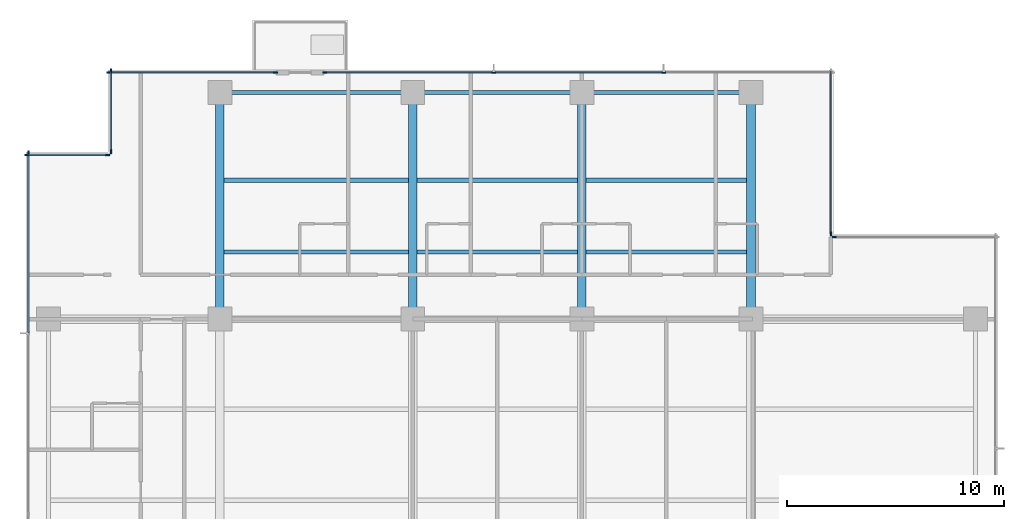
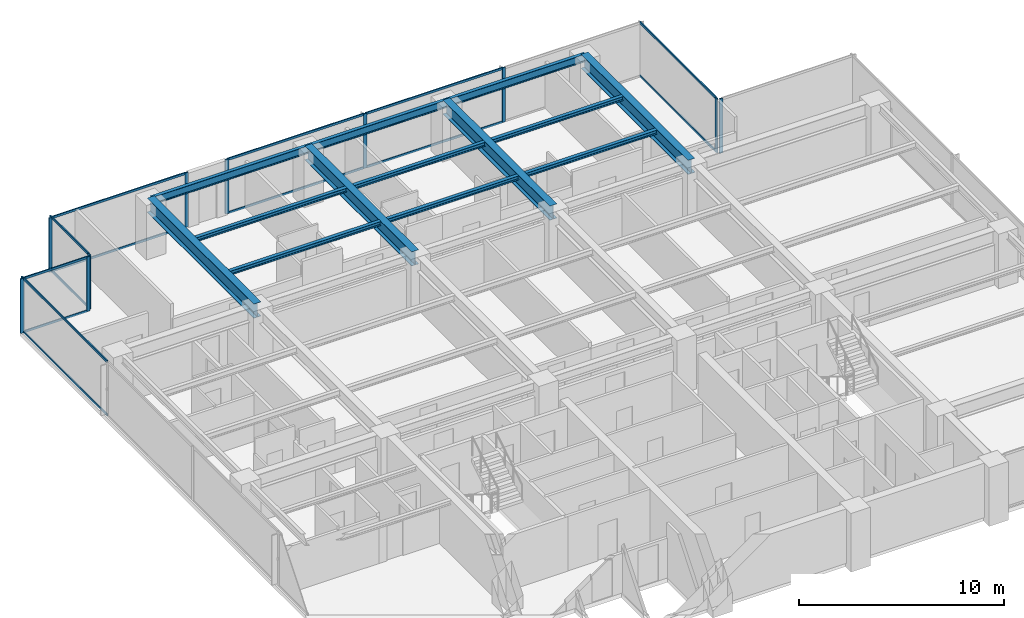
# One storey, part 4 of 14: 26 members, 13 beams, 7 elements without a shape of their own.
"""IFC4 building model written with IfcOpenShell, lengths in metres."""

from ifc_helpers import new_model, si_unit, direction, frame, origin, origin_2d, place, context, subcontext, project, spatial, rectangle, i_section, extrude, material, layer, layer_set, material_profile, profile_set, type_object, element, aggregate, save


model = new_model("IFC4")

# Units and contexts
model_context = context("Model", 3, precision=1e-05, world=origin(), true_north=direction((0.0, 1.0)))
body_context = subcontext(model_context, "Body", "Model", "MODEL_VIEW")
ifc_project = project(units=[si_unit("LENGTHUNIT", "METRE"), si_unit("AREAUNIT", "SQUARE_METRE"), si_unit("VOLUMEUNIT", "CUBIC_METRE"), si_unit("PLANEANGLEUNIT", "RADIAN"), si_unit("MASSUNIT", "GRAM", prefix="KILO")], contexts=[model_context])

# Site, building, storey
site_placement = place(None, origin())
site = spatial("IfcSite", under=ifc_project, at=site_placement, CompositionType="ELEMENT")
building_placement = place(site_placement, origin())
building = spatial("IfcBuilding", under=site, at=building_placement, Name="Qalmaran Belvedere Hotel", CompositionType="ELEMENT")
storey_placement = place(building_placement, frame((0.0, 0.0, 156.10009765625)))
storey = spatial("IfcBuildingStorey", under=building, at=storey_placement, Name="L39", CompositionType="ELEMENT", Elevation=156.10009765625)

# Beams
ifc_material_1 = material(Name="Steel S355JR", Category="steel")
ifc_material_profile_1 = material_profile(ifc_material_1, i_section(OverallWidth=0.201904296875, OverallDepth=0.2470703125, WebThickness=0.00732421875, FlangeThickness=0.010986328125, FilletRadius=0.011962890625, at=origin_2d()), Name="W250X49")
ifc_profile_set_1 = profile_set([ifc_material_profile_1], Name="Steel S355JR")
beam_type_1 = type_object("IfcBeamType", Name="BM-JST-W250X49", PredefinedType="JOIST", material=ifc_profile_set_1)
beam_1_placement = place(storey_placement, frame((20.498046875, 36.10009765625, 3.12646484375), z_axis=(1.0, 0.0, 0.0), x_axis=(0.0, 1.0, 0.0)))
element("IfcBeam", 1, at=beam_1_placement, inside=storey, type_object=beam_type_1, Name="L39 North Floor Joist 042", PredefinedType="JOIST", context=body_context, shape_type="SweptSolid", body=[
    extrude(i_section(OverallWidth=0.201904296875, OverallDepth=0.2470703125, WebThickness=0.00732421875, FlangeThickness=0.010986328125, FilletRadius=0.011962890625, at=origin_2d()), origin(), (0.0, 0.0, 1.0), 8.50390625),
])
for number, where, z_axis, x_axis, name in (
    (2, (29.39794921875, 36.10009765625, 3.12646484375), (1.0, 0.0, 0.0), (0.0, 1.0, 0.0), "L39 North Floor Joist 043"),
    (3, (37.197998046875, 36.10009765625, 3.12646484375), (1.0, 0.0, 0.0), (0.0, 1.0, 0.0), "L39 North Floor Joist 044"),
):
    element("IfcBeam", number, at=place(storey_placement, frame(where, z_axis=z_axis, x_axis=x_axis)), inside=storey, type_object=beam_type_1, Name=name, PredefinedType="JOIST", context=body_context, shape_type="SweptSolid", body=[
        extrude(i_section(OverallWidth=0.201904296875, OverallDepth=0.2470703125, WebThickness=0.00732421875, FlangeThickness=0.010986328125, FilletRadius=0.011962890625, at=origin_2d()), origin(), (0.0, 0.0, 1.0), 7.404052734375),
    ])
beam_2_placement = place(storey_placement, frame((20.498046875, 39.39990234375, 3.12646484375), z_axis=(1.0, 0.0, 0.0), x_axis=(0.0, 1.0, 0.0)))
element("IfcBeam", 4, at=beam_2_placement, inside=storey, type_object=beam_type_1, Name="L39 North Floor Joist 045", PredefinedType="JOIST", context=body_context, shape_type="SweptSolid", body=[
    extrude(i_section(OverallWidth=0.201904296875, OverallDepth=0.2470703125, WebThickness=0.00732421875, FlangeThickness=0.010986328125, FilletRadius=0.011962890625, at=origin_2d()), origin(), (0.0, 0.0, 1.0), 8.50390625),
])
for number, where, z_axis, x_axis, name in (
    (5, (29.39794921875, 39.39990234375, 3.12646484375), (1.0, 0.0, 0.0), (0.0, 1.0, 0.0), "L39 North Floor Joist 046"),
    (6, (37.197998046875, 39.39990234375, 3.12646484375), (1.0, 0.0, 0.0), (0.0, 1.0, 0.0), "L39 North Floor Joist 047"),
):
    element("IfcBeam", number, at=place(storey_placement, frame(where, z_axis=z_axis, x_axis=x_axis)), inside=storey, type_object=beam_type_1, Name=name, PredefinedType="JOIST", context=body_context, shape_type="SweptSolid", body=[
        extrude(i_section(OverallWidth=0.201904296875, OverallDepth=0.2470703125, WebThickness=0.00732421875, FlangeThickness=0.010986328125, FilletRadius=0.011962890625, at=origin_2d()), origin(), (0.0, 0.0, 1.0), 7.404052734375),
    ])
ifc_material_profile_2 = material_profile(ifc_material_1, i_section(OverallWidth=0.39990234375, OverallDepth=0.85498046875, WebThickness=0.018310546875, FlangeThickness=0.029296875, FilletRadius=0.02392578125, at=origin_2d()), Name="W840X299")
ifc_profile_set_2 = profile_set([ifc_material_profile_2], Name="Steel S355JR")
beam_type_2 = type_object("IfcBeamType", Name="BM-PG3-W840X299", PredefinedType="USERDEFINED", material=ifc_profile_set_2)
for number, where, z_axis, x_axis, name in (
    (7, (20.300048828125, 33.0, 2.822509765625), (0.0, 1.0, 0.0), (-1.0, 0.0, 0.0), "L39 North Bay Girder 15"),
    (8, (29.199951171875, 33.0, 2.822509765625), (0.0, 1.0, 0.0), (-1.0, 0.0, 0.0), "L39 North Bay Girder 17"),
    (9, (37.0, 33.0, 2.822509765625), (0.0, 1.0, 0.0), (-1.0, 0.0, 0.0), "L39 North Bay Girder 19"),
    (10, (44.800048828125, 33.0, 2.822509765625), (0.0, 1.0, 0.0), (-1.0, 0.0, 0.0), "L39 North Bay Girder 21"),
):
    element("IfcBeam", number, at=place(storey_placement, frame(where, z_axis=z_axis, x_axis=x_axis)), inside=storey, type_object=beam_type_2, Name=name, ObjectType="GIRDER", PredefinedType="USERDEFINED", context=body_context, shape_type="SweptSolid", body=[
        extrude(i_section(OverallWidth=0.39990234375, OverallDepth=0.85498046875, WebThickness=0.018310546875, FlangeThickness=0.029296875, FilletRadius=0.02392578125, at=origin_2d()), origin(), (0.0, 0.0, 1.0), 10.449951171875),
    ])
ifc_material_profile_3 = material_profile(ifc_material_1, i_section(OverallWidth=0.19189453125, OverallDepth=0.462890625, WebThickness=0.010498046875, FlangeThickness=0.017578125, FilletRadius=0.01611328125, at=origin_2d()), Name="W460X89")
ifc_profile_set_3 = profile_set([ifc_material_profile_3], Name="Steel S355JR")
beam_type_3 = type_object("IfcBeamType", Name="BM-SP2-W460X89", PredefinedType="SPANDREL", material=ifc_profile_set_3)
beam_3_placement = place(storey_placement, frame((20.300048828125, 43.449951171875, 3.018310546875), z_axis=(1.0, 0.0, 0.0), x_axis=(0.0, 1.0, 0.0)))
element("IfcBeam", 11, at=beam_3_placement, inside=storey, type_object=beam_type_3, Name="L39 Perimeter Spandrel 05", PredefinedType="SPANDREL", context=body_context, shape_type="SweptSolid", body=[
    extrude(i_section(OverallWidth=0.19189453125, OverallDepth=0.462890625, WebThickness=0.010498046875, FlangeThickness=0.017578125, FilletRadius=0.01611328125, at=origin_2d()), origin(), (0.0, 0.0, 1.0), 8.89990234375),
])
for number, where, z_axis, x_axis, name in (
    (12, (29.199951171875, 43.449951171875, 3.018310546875), (1.0, 0.0, 0.0), (0.0, 1.0, 0.0), "L39 Perimeter Spandrel 06"),
    (13, (37.0, 43.449951171875, 3.018310546875), (1.0, 0.0, 0.0), (0.0, 1.0, 0.0), "L39 Perimeter Spandrel 07"),
):
    element("IfcBeam", number, at=place(storey_placement, frame(where, z_axis=z_axis, x_axis=x_axis)), inside=storey, type_object=beam_type_3, Name=name, PredefinedType="SPANDREL", context=body_context, shape_type="SweptSolid", body=[
        extrude(i_section(OverallWidth=0.19189453125, OverallDepth=0.462890625, WebThickness=0.010498046875, FlangeThickness=0.017578125, FilletRadius=0.01611328125, at=origin_2d()), origin(), (0.0, 0.0, 1.0), 7.800048828125),
    ])

# Curtain wall, member
ifc_material_2 = material(Name="Anodised Bronze Aluminium", Category="aluminium")
ifc_layer = layer(ifc_material_2, 0.195068359375, Name="Anodised Bronze Aluminium")
ifc_layer_set = layer_set([ifc_layer], Name="Anodised Bronze Aluminium")
curtain_wall_type = type_object("IfcCurtainWallType", Name="CW4-TOWER-HIGHMID", PredefinedType="NOTDEFINED", material=ifc_layer_set)
curtain_wall_1_placement = place(storey_placement, origin())
curtain_wall_1 = element("IfcCurtainWall", 14, at=curtain_wall_1_placement, inside=storey, type_object=curtain_wall_type, Name="L39 Curtain Wall CW4", PredefinedType="NOTDEFINED")
ifc_material_profile_4 = material_profile(ifc_material_2, rectangle(XDim=0.070068359375, YDim=0.18994140625, at=origin_2d()), Name="CWM70X190")
ifc_profile_set_4 = profile_set([ifc_material_profile_4], Name="Anodised Bronze Aluminium")
member_type_1 = type_object("IfcMemberType", Name="CWM-70X190", PredefinedType="MULLION", material=ifc_profile_set_4)
member_1_placement = place(storey_placement, frame((48.635009765625, 36.780029296875, 0.0), z_axis=(0.0, 0.0, 1.0), x_axis=(0.0, -1.0, 0.0)))
member_1 = element("IfcMember", 15, at=member_1_placement, type_object=member_type_1, Name="CW4 mullion 2", PredefinedType="MULLION", context=body_context, shape_type="SweptSolid", body=[
    extrude(rectangle(XDim=0.070068359375, YDim=0.18994140625, at=origin_2d()), origin(), (0.0, 0.0, 1.0), 3.25),
])
aggregate(curtain_wall_1, [member_1])

curtain_wall_2_placement = place(storey_placement, origin())
curtain_wall_2 = element("IfcCurtainWall", 16, at=curtain_wall_2_placement, inside=storey, type_object=curtain_wall_type, Name="L39 Curtain Wall CW4", PredefinedType="NOTDEFINED")
member_2_placement = place(storey_placement, frame((48.47998046875, 36.93505859375, 0.0), z_axis=(0.0, 0.0, 1.0), x_axis=(-1.0, 0.0, 0.0)))
member_2 = element("IfcMember", 17, at=member_2_placement, type_object=member_type_1, Name="CW4 mullion 1", PredefinedType="MULLION", context=body_context, shape_type="SweptSolid", body=[
    extrude(rectangle(XDim=0.070068359375, YDim=0.18994140625, at=origin_2d()), origin(), (0.0, 0.0, 1.0), 3.25),
])

# Curtain wall, members
curtain_wall_3_placement = place(storey_placement, origin())
curtain_wall_3 = element("IfcCurtainWall", 18, at=curtain_wall_3_placement, inside=storey, type_object=curtain_wall_type, Name="L39 Curtain Wall CW4", PredefinedType="NOTDEFINED")
member_3_placement = place(storey_placement, frame((22.864990234375, 44.3798828125, 0.0), z_axis=(0.0, 0.0, 1.0), x_axis=(0.0, -1.0, 0.0)))
member_3 = element("IfcMember", 19, at=member_3_placement, type_object=member_type_1, Name="CW4 mullion 1", PredefinedType="MULLION", context=body_context, shape_type="SweptSolid", body=[
    extrude(rectangle(XDim=0.070068359375, YDim=0.18994140625, at=origin_2d()), origin(), (0.0, 0.0, 1.0), 3.25),
])
member_4_placement = place(storey_placement, frame((15.18505859375, 44.3798828125, 0.0), z_axis=(0.0, 0.0, 1.0), x_axis=(0.0, -1.0, 0.0)))
member_4 = element("IfcMember", 20, at=member_4_placement, type_object=member_type_1, Name="CW4 mullion 2", PredefinedType="MULLION", context=body_context, shape_type="SweptSolid", body=[
    extrude(rectangle(XDim=0.070068359375, YDim=0.18994140625, at=origin_2d()), origin(), (0.0, 0.0, 1.0), 3.25),
])

curtain_wall_4_placement = place(storey_placement, origin())
curtain_wall_4 = element("IfcCurtainWall", 21, at=curtain_wall_4_placement, inside=storey, type_object=curtain_wall_type, Name="L39 Curtain Wall CW4", PredefinedType="NOTDEFINED")
member_5_placement = place(storey_placement, frame((40.7666015625, 44.3798828125, 0.0), z_axis=(0.0, 0.0, 1.0), x_axis=(0.0, -1.0, 0.0)))
member_5 = element("IfcMember", 22, at=member_5_placement, type_object=member_type_1, Name="CW4 mullion 2", PredefinedType="MULLION", context=body_context, shape_type="SweptSolid", body=[
    extrude(rectangle(XDim=0.070068359375, YDim=0.18994140625, at=origin_2d()), origin(), (0.0, 0.0, 1.0), 3.25),
])
member_6_placement = place(storey_placement, frame((32.933349609375, 44.3798828125, 0.0), z_axis=(0.0, 0.0, 1.0), x_axis=(0.0, -1.0, 0.0)))
member_6 = element("IfcMember", 23, at=member_6_placement, type_object=member_type_1, Name="CW4 mullion 3", PredefinedType="MULLION", context=body_context, shape_type="SweptSolid", body=[
    extrude(rectangle(XDim=0.070068359375, YDim=0.18994140625, at=origin_2d()), origin(), (0.0, 0.0, 1.0), 3.25),
])
member_7_placement = place(storey_placement, frame((25.135009765625, 44.3798828125, 0.0), z_axis=(0.0, 0.0, 1.0), x_axis=(0.0, -1.0, 0.0)))
member_7 = element("IfcMember", 24, at=member_7_placement, type_object=member_type_1, Name="CW4 mullion 4", PredefinedType="MULLION", context=body_context, shape_type="SweptSolid", body=[
    extrude(rectangle(XDim=0.070068359375, YDim=0.18994140625, at=origin_2d()), origin(), (0.0, 0.0, 1.0), 3.25),
])

curtain_wall_5_placement = place(storey_placement, origin())
curtain_wall_5 = element("IfcCurtainWall", 25, at=curtain_wall_5_placement, inside=storey, type_object=curtain_wall_type, Name="L39 Curtain Wall CW4", PredefinedType="NOTDEFINED")
member_8_placement = place(storey_placement, frame((15.27001953125, 44.465087890625, 0.0), z_axis=(0.0, 0.0, 1.0), x_axis=(1.0, 0.0, 0.0)))
member_8 = element("IfcMember", 26, at=member_8_placement, type_object=member_type_1, Name="CW4 mullion 1", PredefinedType="MULLION", context=body_context, shape_type="SweptSolid", body=[
    extrude(rectangle(XDim=0.070068359375, YDim=0.18994140625, at=origin_2d()), origin(), (0.0, 0.0, 1.0), 3.25),
])
member_9_placement = place(storey_placement, frame((15.27001953125, 40.735107421875, 0.0), z_axis=(0.0, 0.0, 1.0), x_axis=(1.0, 0.0, 0.0)))
member_9 = element("IfcMember", 27, at=member_9_placement, type_object=member_type_1, Name="CW4 mullion 2", PredefinedType="MULLION", context=body_context, shape_type="SweptSolid", body=[
    extrude(rectangle(XDim=0.070068359375, YDim=0.18994140625, at=origin_2d()), origin(), (0.0, 0.0, 1.0), 3.25),
])

curtain_wall_6_placement = place(storey_placement, origin())
curtain_wall_6 = element("IfcCurtainWall", 28, at=curtain_wall_6_placement, inside=storey, type_object=curtain_wall_type, Name="L39 Curtain Wall CW4", PredefinedType="NOTDEFINED")
member_10_placement = place(storey_placement, frame((15.114990234375, 40.580078125, 0.0), z_axis=(0.0, 0.0, 1.0), x_axis=(0.0, -1.0, 0.0)))
member_10 = element("IfcMember", 29, at=member_10_placement, type_object=member_type_1, Name="CW4 mullion 1", PredefinedType="MULLION", context=body_context, shape_type="SweptSolid", body=[
    extrude(rectangle(XDim=0.070068359375, YDim=0.18994140625, at=origin_2d()), origin(), (0.0, 0.0, 1.0), 3.25),
])
member_11_placement = place(storey_placement, frame((11.385009765625, 40.580078125, 0.0), z_axis=(0.0, 0.0, 1.0), x_axis=(0.0, -1.0, 0.0)))
member_11 = element("IfcMember", 30, at=member_11_placement, type_object=member_type_1, Name="CW4 mullion 2", PredefinedType="MULLION", context=body_context, shape_type="SweptSolid", body=[
    extrude(rectangle(XDim=0.070068359375, YDim=0.18994140625, at=origin_2d()), origin(), (0.0, 0.0, 1.0), 3.25),
])

# Curtain wall, member
curtain_wall_7_placement = place(storey_placement, origin())
curtain_wall_7 = element("IfcCurtainWall", 31, at=curtain_wall_7_placement, inside=storey, type_object=curtain_wall_type, Name="L39 Curtain Wall CW4", PredefinedType="NOTDEFINED")
member_12_placement = place(storey_placement, frame((11.469970703125, 40.6650390625, 0.0), z_axis=(0.0, 0.0, 1.0), x_axis=(1.0, 0.0, 0.0)))
member_12 = element("IfcMember", 32, at=member_12_placement, type_object=member_type_1, Name="CW4 mullion 1", PredefinedType="MULLION", context=body_context, shape_type="SweptSolid", body=[
    extrude(rectangle(XDim=0.070068359375, YDim=0.18994140625, at=origin_2d()), origin(), (0.0, 0.0, 1.0), 3.25),
])

# Member
ifc_material_profile_5 = material_profile(ifc_material_2, rectangle(XDim=0.06494140625, YDim=0.1298828125, at=origin_2d()), Name="CWT65X130")
ifc_profile_set_5 = profile_set([ifc_material_profile_5], Name="Anodised Bronze Aluminium")
member_type_2 = type_object("IfcMemberType", Name="CWT-65X130", PredefinedType="USERDEFINED", material=ifc_profile_set_5)
member_13_placement = place(storey_placement, frame((48.47998046875, 36.969970703125, 0.032470703125), z_axis=(0.0, 1.0, 0.0), x_axis=(-1.0, 0.0, 0.0)))
member_13 = element("IfcMember", 33, at=member_13_placement, type_object=member_type_2, Name="CW4 transom 1.1", ObjectType="TRANSOM", PredefinedType="USERDEFINED", context=body_context, shape_type="SweptSolid", body=[
    extrude(rectangle(XDim=0.06494140625, YDim=0.1298828125, at=origin_2d()), origin(), (0.0, 0.0, 1.0), 7.4599609375),
])

member_14_placement = place(storey_placement, frame((48.47998046875, 36.969970703125, 3.21728515625), z_axis=(0.0, 1.0, 0.0), x_axis=(-1.0, 0.0, 0.0)))
member_14 = element("IfcMember", 34, at=member_14_placement, type_object=member_type_2, Name="CW4 transom 1.2", ObjectType="TRANSOM", PredefinedType="USERDEFINED", context=body_context, shape_type="SweptSolid", body=[
    extrude(rectangle(XDim=0.06494140625, YDim=0.1298828125, at=origin_2d()), origin(), (0.0, 0.0, 1.0), 7.4599609375),
])

aggregate(curtain_wall_2, [member_2, member_13, member_14])

member_15_placement = place(storey_placement, frame((22.830078125, 44.3798828125, 0.032470703125), z_axis=(-1.0, 0.0, 0.0), x_axis=(0.0, -1.0, 0.0)))
member_15 = element("IfcMember", 35, at=member_15_placement, type_object=member_type_2, Name="CW4 transom 1.1", ObjectType="TRANSOM", PredefinedType="USERDEFINED", context=body_context, shape_type="SweptSolid", body=[
    extrude(rectangle(XDim=0.06494140625, YDim=0.1298828125, at=origin_2d()), origin(), (0.0, 0.0, 1.0), 7.610107421875),
])

member_16_placement = place(storey_placement, frame((22.830078125, 44.3798828125, 3.21728515625), z_axis=(-1.0, 0.0, 0.0), x_axis=(0.0, -1.0, 0.0)))
member_16 = element("IfcMember", 36, at=member_16_placement, type_object=member_type_2, Name="CW4 transom 1.2", ObjectType="TRANSOM", PredefinedType="USERDEFINED", context=body_context, shape_type="SweptSolid", body=[
    extrude(rectangle(XDim=0.06494140625, YDim=0.1298828125, at=origin_2d()), origin(), (0.0, 0.0, 1.0), 7.610107421875),
])

aggregate(curtain_wall_3, [member_3, member_4, member_15, member_16])

member_17_placement = place(storey_placement, frame((40.731689453125, 44.3798828125, 0.032470703125), z_axis=(-1.0, 0.0, 0.0), x_axis=(0.0, -1.0, 0.0)))
member_17 = element("IfcMember", 37, at=member_17_placement, type_object=member_type_2, Name="CW4 transom 2.1", ObjectType="TRANSOM", PredefinedType="USERDEFINED", context=body_context, shape_type="SweptSolid", body=[
    extrude(rectangle(XDim=0.06494140625, YDim=0.1298828125, at=origin_2d()), origin(), (0.0, 0.0, 1.0), 7.763427734375),
])

member_18_placement = place(storey_placement, frame((40.731689453125, 44.3798828125, 3.21728515625), z_axis=(-1.0, 0.0, 0.0), x_axis=(0.0, -1.0, 0.0)))
member_18 = element("IfcMember", 38, at=member_18_placement, type_object=member_type_2, Name="CW4 transom 2.2", ObjectType="TRANSOM", PredefinedType="USERDEFINED", context=body_context, shape_type="SweptSolid", body=[
    extrude(rectangle(XDim=0.06494140625, YDim=0.1298828125, at=origin_2d()), origin(), (0.0, 0.0, 1.0), 7.763427734375),
])

member_19_placement = place(storey_placement, frame((32.8984375, 44.3798828125, 0.032470703125), z_axis=(-1.0, 0.0, 0.0), x_axis=(0.0, -1.0, 0.0)))
member_19 = element("IfcMember", 39, at=member_19_placement, type_object=member_type_2, Name="CW4 transom 3.1", ObjectType="TRANSOM", PredefinedType="USERDEFINED", context=body_context, shape_type="SweptSolid", body=[
    extrude(rectangle(XDim=0.06494140625, YDim=0.1298828125, at=origin_2d()), origin(), (0.0, 0.0, 1.0), 7.728515625),
])

member_20_placement = place(storey_placement, frame((32.8984375, 44.3798828125, 3.21728515625), z_axis=(-1.0, 0.0, 0.0), x_axis=(0.0, -1.0, 0.0)))
member_20 = element("IfcMember", 40, at=member_20_placement, type_object=member_type_2, Name="CW4 transom 3.2", ObjectType="TRANSOM", PredefinedType="USERDEFINED", context=body_context, shape_type="SweptSolid", body=[
    extrude(rectangle(XDim=0.06494140625, YDim=0.1298828125, at=origin_2d()), origin(), (0.0, 0.0, 1.0), 7.728515625),
])

aggregate(curtain_wall_4, [member_5, member_6, member_7, member_17, member_18, member_19, member_20])

member_21_placement = place(storey_placement, frame((15.27001953125, 44.429931640625, 0.032470703125), z_axis=(0.0, -1.0, 0.0), x_axis=(1.0, 0.0, 0.0)))
member_21 = element("IfcMember", 41, at=member_21_placement, type_object=member_type_2, Name="CW4 transom 1.1", ObjectType="TRANSOM", PredefinedType="USERDEFINED", context=body_context, shape_type="SweptSolid", body=[
    extrude(rectangle(XDim=0.06494140625, YDim=0.1298828125, at=origin_2d()), origin(), (0.0, 0.0, 1.0), 3.659912109375),
])

member_22_placement = place(storey_placement, frame((15.27001953125, 44.429931640625, 3.21728515625), z_axis=(0.0, -1.0, 0.0), x_axis=(1.0, 0.0, 0.0)))
member_22 = element("IfcMember", 42, at=member_22_placement, type_object=member_type_2, Name="CW4 transom 1.2", ObjectType="TRANSOM", PredefinedType="USERDEFINED", context=body_context, shape_type="SweptSolid", body=[
    extrude(rectangle(XDim=0.06494140625, YDim=0.1298828125, at=origin_2d()), origin(), (0.0, 0.0, 1.0), 3.659912109375),
])

aggregate(curtain_wall_5, [member_8, member_9, member_21, member_22])

member_23_placement = place(storey_placement, frame((15.080078125, 40.580078125, 0.032470703125), z_axis=(-1.0, 0.0, 0.0), x_axis=(0.0, -1.0, 0.0)))
member_23 = element("IfcMember", 43, at=member_23_placement, type_object=member_type_2, Name="CW4 transom 1.1", ObjectType="TRANSOM", PredefinedType="USERDEFINED", context=body_context, shape_type="SweptSolid", body=[
    extrude(rectangle(XDim=0.06494140625, YDim=0.1298828125, at=origin_2d()), origin(), (0.0, 0.0, 1.0), 3.66015625),
])

member_24_placement = place(storey_placement, frame((15.080078125, 40.580078125, 3.21728515625), z_axis=(-1.0, 0.0, 0.0), x_axis=(0.0, -1.0, 0.0)))
member_24 = element("IfcMember", 44, at=member_24_placement, type_object=member_type_2, Name="CW4 transom 1.2", ObjectType="TRANSOM", PredefinedType="USERDEFINED", context=body_context, shape_type="SweptSolid", body=[
    extrude(rectangle(XDim=0.06494140625, YDim=0.1298828125, at=origin_2d()), origin(), (0.0, 0.0, 1.0), 3.66015625),
])

aggregate(curtain_wall_6, [member_10, member_11, member_23, member_24])

member_25_placement = place(storey_placement, frame((11.469970703125, 40.6298828125, 0.032470703125), z_axis=(0.0, -1.0, 0.0), x_axis=(1.0, 0.0, 0.0)))
member_25 = element("IfcMember", 45, at=member_25_placement, type_object=member_type_2, Name="CW4 transom 1.1", ObjectType="TRANSOM", PredefinedType="USERDEFINED", context=body_context, shape_type="SweptSolid", body=[
    extrude(rectangle(XDim=0.06494140625, YDim=0.1298828125, at=origin_2d()), origin(), (0.0, 0.0, 1.0), 8.244873046875),
])

member_26_placement = place(storey_placement, frame((11.469970703125, 40.6298828125, 3.21728515625), z_axis=(0.0, -1.0, 0.0), x_axis=(1.0, 0.0, 0.0)))
member_26 = element("IfcMember", 46, at=member_26_placement, type_object=member_type_2, Name="CW4 transom 1.2", ObjectType="TRANSOM", PredefinedType="USERDEFINED", context=body_context, shape_type="SweptSolid", body=[
    extrude(rectangle(XDim=0.06494140625, YDim=0.1298828125, at=origin_2d()), origin(), (0.0, 0.0, 1.0), 8.244873046875),
])

aggregate(curtain_wall_7, [member_12, member_25, member_26])

save(model, "model.ifc")
